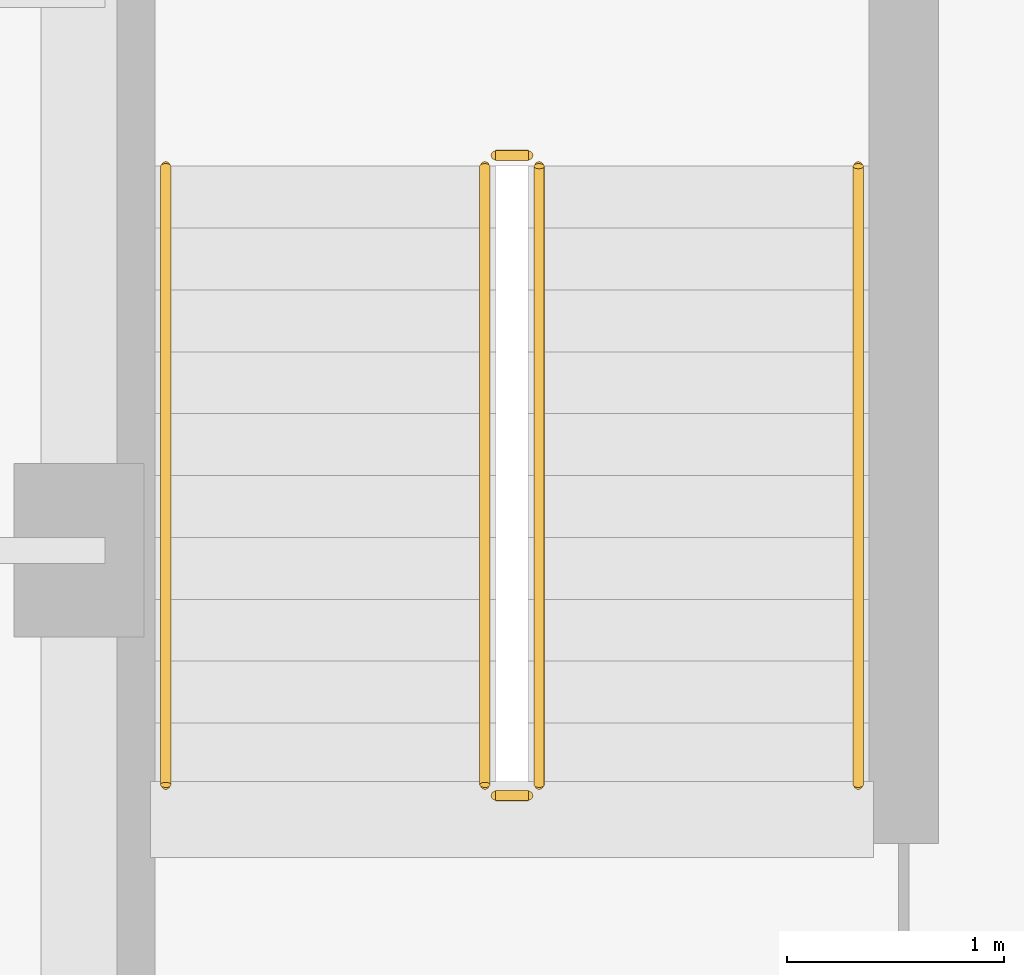
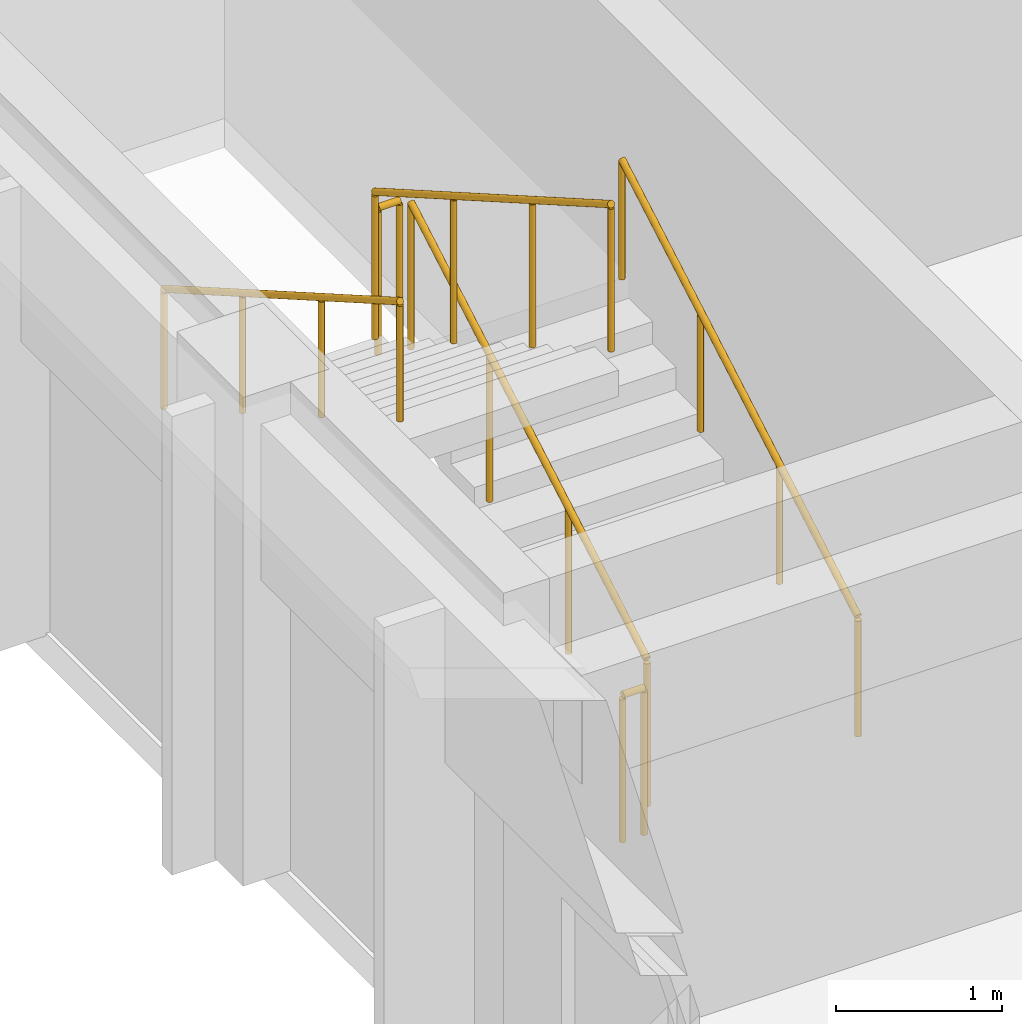
# One storey, part 134 of 155: 6 railings.
"""IFC4 building model written with IfcOpenShell, lengths in metres."""

from ifc_helpers import new_model, si_unit, direction, frame, origin, origin_2d, place, context, subcontext, project, spatial, circle, extrude, material, type_object, element, save


model = new_model("IFC4")

# Units and contexts
model_context = context("Model", 3, precision=1e-05, world=origin(), true_north=direction((0.0, 1.0)))
body_context = subcontext(model_context, "Body", "Model", "MODEL_VIEW")
ifc_project = project(units=[si_unit("LENGTHUNIT", "METRE"), si_unit("AREAUNIT", "SQUARE_METRE"), si_unit("VOLUMEUNIT", "CUBIC_METRE"), si_unit("PLANEANGLEUNIT", "RADIAN"), si_unit("MASSUNIT", "GRAM", prefix="KILO")], contexts=[model_context])

# Site, building, storey
site_placement = place(None, origin())
site = spatial("IfcSite", under=ifc_project, at=site_placement, CompositionType="ELEMENT")
building_placement = place(site_placement, origin())
building = spatial("IfcBuilding", under=site, at=building_placement, Name="Larkveld Mobility Hub", CompositionType="ELEMENT")
storey_placement = place(building_placement, frame((0.0, 0.0, 8.39990234375)))
storey = spatial("IfcBuildingStorey", under=building, at=storey_placement, Name="L02", CompositionType="ELEMENT", Elevation=8.39990234375)

# Railings
ifc_material_1 = material(Name="Galvanized Steel S355JR balustrade", Category="steel")
railing_type_1 = type_object("IfcRailingType", Name="RL-GRD-1100", PredefinedType="GUARDRAIL", material=ifc_material_1)
railing_1_placement = place(storey_placement, frame((114.1201171875, 47.919921875, 0.163818359375)))
element("IfcRailing", 1, at=railing_1_placement, inside=storey, type_object=railing_type_1, Name="L02 ST3 stair guard 1", PredefinedType="GUARDRAIL", context=body_context, shape_type="SweptSolid", body=[
    extrude(circle(Radius=0.02392578125, at=origin_2d()), frame((0.0, 0.0, 1.076171875), z_axis=(0.0, 0.867244780686, 0.497882004468), x_axis=(-1.0, 0.0, 0.0)), (0.0, 0.0, 1.0), 3.286376953125),
    extrude(circle(Radius=0.02099609375, at=origin_2d()), origin(), (0.0, 0.0, 1.0), 1.052001953125),
    extrude(circle(Radius=0.02099609375, at=origin_2d()), frame((0.0, 0.949951171875, 0.54541015625)), (0.0, 0.0, 1.0), 1.052001953125),
    extrude(circle(Radius=0.02099609375, at=origin_2d()), frame((0.0, 1.900146484375, 1.0908203125)), (0.0, 0.0, 1.0), 1.052001953125),
    extrude(circle(Radius=0.02099609375, at=origin_2d()), frame((0.0, 2.85009765625, 1.63623046875)), (0.0, 0.0, 1.0), 1.052001953125),
])
railing_2_placement = place(storey_placement, frame((114.070068359375, 50.820068359375, 1.800048828125)))
element("IfcRailing", 2, at=railing_2_placement, inside=storey, type_object=railing_type_1, Name="L02 ST3 stair guard 2", PredefinedType="GUARDRAIL", context=body_context, shape_type="SweptSolid", body=[
    extrude(circle(Radius=0.02392578125, at=origin_2d()), frame((0.0, 0.0, 1.076171875), z_axis=(-1.0, 0.0, 0.0), x_axis=(0.0, -1.0, 0.0)), (0.0, 0.0, 1.0), 0.150146484375),
    extrude(circle(Radius=0.02099609375, at=origin_2d()), origin(), (0.0, 0.0, 1.0), 1.052001953125),
    extrude(circle(Radius=0.02099609375, at=origin_2d()), frame((-0.150146484375, 0.0, 0.0)), (0.0, 0.0, 1.0), 1.052001953125),
])
railing_3_placement = place(storey_placement, frame((113.8701171875, 50.77001953125, 1.963623046875)))
element("IfcRailing", 3, at=railing_3_placement, inside=storey, type_object=railing_type_1, Name="L02 ST3 stair guard 3", PredefinedType="GUARDRAIL", context=body_context, shape_type="SweptSolid", body=[
    extrude(circle(Radius=0.02392578125, at=origin_2d()), frame((0.0, 0.0, 1.076171875), z_axis=(0.0, -0.86721270334, 0.497937874806), x_axis=(1.0, 0.0, 0.0)), (0.0, 0.0, 1.0), 3.28662109375),
    extrude(circle(Radius=0.02099609375, at=origin_2d()), origin(), (0.0, 0.0, 1.0), 1.052001953125),
    extrude(circle(Radius=0.02099609375, at=origin_2d()), frame((0.0, -0.949951171875, 0.54541015625)), (0.0, 0.0, 1.0), 1.052001953125),
    extrude(circle(Radius=0.02099609375, at=origin_2d()), frame((0.0, -1.900146484375, 1.091064453125)), (0.0, 0.0, 1.0), 1.052001953125),
    extrude(circle(Radius=0.02099609375, at=origin_2d()), frame((0.0, -2.85009765625, 1.636474609375)), (0.0, 0.0, 1.0), 1.052001953125),
])
railing_4_placement = place(storey_placement, frame((114.070068359375, 47.8701171875, 0.0)))
element("IfcRailing", 4, at=railing_4_placement, inside=storey, type_object=railing_type_1, Name="L02 ST3 stair guard 4", PredefinedType="GUARDRAIL", context=body_context, shape_type="SweptSolid", body=[
    extrude(circle(Radius=0.02392578125, at=origin_2d()), frame((0.0, 0.0, 1.076171875), z_axis=(-1.0, 0.0, 0.0), x_axis=(0.0, -1.0, 0.0)), (0.0, 0.0, 1.0), 0.150146484375),
    extrude(circle(Radius=0.02099609375, at=origin_2d()), origin(), (0.0, 0.0, 1.0), 1.052001953125),
    extrude(circle(Radius=0.02099609375, at=origin_2d()), frame((-0.150146484375, 0.0, 0.0)), (0.0, 0.0, 1.0), 1.052001953125),
])
ifc_material_2 = material(Name="Brushed Steel S355JR tubular handrail", Category="steel")
railing_type_2 = type_object("IfcRailingType", Name="RL-HND-0900", PredefinedType="HANDRAIL", material=ifc_material_2)
railing_5_placement = place(storey_placement, frame((115.590087890625, 47.919921875, 0.163818359375)))
element("IfcRailing", 5, at=railing_5_placement, inside=storey, type_object=railing_type_2, Name="L02 ST3 stair handrail 1", PredefinedType="HANDRAIL", context=body_context, shape_type="SweptSolid", body=[
    extrude(circle(Radius=0.02392578125, at=origin_2d()), frame((0.0, 0.0, 0.8759765625), z_axis=(0.0, 0.867244780686, 0.497882004468), x_axis=(-1.0, 0.0, 0.0)), (0.0, 0.0, 1.0), 3.286376953125),
    extrude(circle(Radius=0.02099609375, at=origin_2d()), origin(), (0.0, 0.0, 1.0), 0.851806640625),
    extrude(circle(Radius=0.02099609375, at=origin_2d()), frame((0.0, 0.949951171875, 0.54541015625)), (0.0, 0.0, 1.0), 0.851806640625),
    extrude(circle(Radius=0.02099609375, at=origin_2d()), frame((0.0, 1.900146484375, 1.0908203125)), (0.0, 0.0, 1.0), 0.851806640625),
    extrude(circle(Radius=0.02099609375, at=origin_2d()), frame((0.0, 2.85009765625, 1.63623046875)), (0.0, 0.0, 1.0), 0.851806640625),
])
railing_6_placement = place(storey_placement, frame((112.39990234375, 50.77001953125, 1.963623046875)))
element("IfcRailing", 6, at=railing_6_placement, inside=storey, type_object=railing_type_2, Name="L02 ST3 stair handrail 2", PredefinedType="HANDRAIL", context=body_context, shape_type="SweptSolid", body=[
    extrude(circle(Radius=0.02392578125, at=origin_2d()), frame((0.0, 0.0, 0.8759765625), z_axis=(0.0, -0.86721270334, 0.497937874806), x_axis=(1.0, 0.0, 0.0)), (0.0, 0.0, 1.0), 3.28662109375),
    extrude(circle(Radius=0.02099609375, at=origin_2d()), origin(), (0.0, 0.0, 1.0), 0.851806640625),
    extrude(circle(Radius=0.02099609375, at=origin_2d()), frame((0.0, -0.949951171875, 0.54541015625)), (0.0, 0.0, 1.0), 0.851806640625),
    extrude(circle(Radius=0.02099609375, at=origin_2d()), frame((0.0, -1.900146484375, 1.091064453125)), (0.0, 0.0, 1.0), 0.851806640625),
    extrude(circle(Radius=0.02099609375, at=origin_2d()), frame((0.0, -2.85009765625, 1.636474609375)), (0.0, 0.0, 1.0), 0.851806640625),
])

save(model, "model.ifc")
